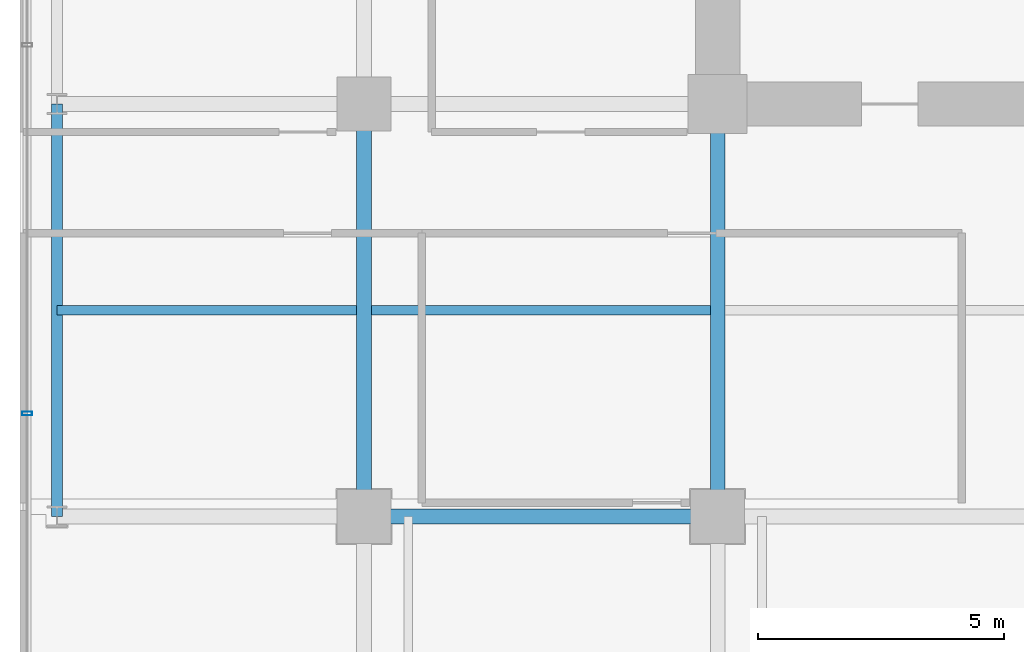
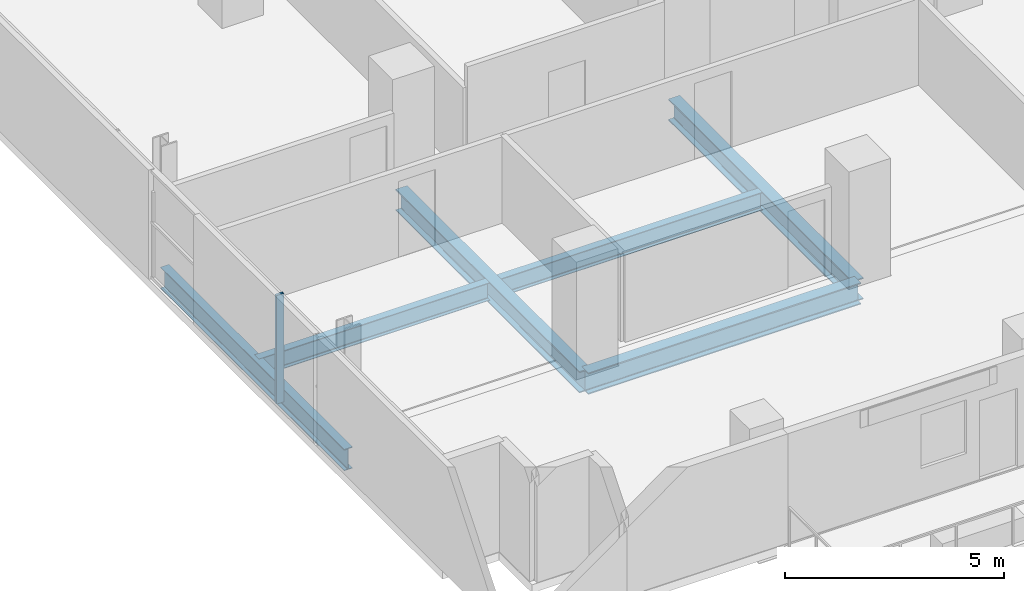
# One storey, part 4 of 27: 6 beams, 1 member, 1 element without a shape of its own.
"""IFC4 building model written with IfcOpenShell, lengths in metres."""

from ifc_helpers import new_model, si_unit, direction, frame, origin, origin_2d, place, context, subcontext, project, spatial, hollow_rectangle, i_section, extrude, source, transform, mapped, material, layer, layer_set, material_profile, profile_set, type_object, element, aggregate, save


model = new_model("IFC4")

# Units and contexts
model_context = context("Model", 3, precision=1e-05, world=origin(), true_north=direction((0.0, 1.0)))
body_context = subcontext(model_context, "Body", "Model", "MODEL_VIEW")
ifc_project = project(units=[si_unit("LENGTHUNIT", "METRE"), si_unit("AREAUNIT", "SQUARE_METRE"), si_unit("VOLUMEUNIT", "CUBIC_METRE"), si_unit("PLANEANGLEUNIT", "RADIAN"), si_unit("MASSUNIT", "GRAM", prefix="KILO")], contexts=[model_context])

# Site, building, storey
site_placement = place(None, origin())
site = spatial("IfcSite", under=ifc_project, at=site_placement, CompositionType="ELEMENT")
building_placement = place(site_placement, origin())
building = spatial("IfcBuilding", under=site, at=building_placement, Name="Zarnakvel Exchange Tower", CompositionType="ELEMENT")
storey_placement = place(building_placement, frame((0.0, 0.0, 76.89990234375)))
storey = spatial("IfcBuildingStorey", under=building, at=storey_placement, Name="L21", CompositionType="ELEMENT", Elevation=76.89990234375)

# Beams
ifc_material_1 = material(Name="Steel S355", Category="steel")
ifc_material_profile_1 = material_profile(ifc_material_1, i_section(OverallWidth=0.199951171875, OverallDepth=0.5, WebThickness=0.01025390625, FlangeThickness=0.01611328125, FilletRadius=0.02099609375, at=origin_2d()))
ifc_profile_set_1 = profile_set([ifc_material_profile_1], Name="Steel S355")
beam_type_1 = type_object("IfcBeamType", Name="B-04", PredefinedType="JOIST", material=ifc_profile_set_1)
beam_1_placement = place(storey_placement, frame((-27.85009765625, -5.39990234375, -0.474853515625), z_axis=(1.0, 0.0, 0.0), x_axis=(0.0, 1.0, 0.0)))
element("IfcBeam", 1, at=beam_1_placement, inside=storey, type_object=beam_type_1, Name="L21 Composite Floor Secondary Joist", PredefinedType="JOIST", context=body_context, shape_type="SweptSolid", body=[
    extrude(i_section(OverallWidth=0.199951171875, OverallDepth=0.5, WebThickness=0.01025390625, FlangeThickness=0.01611328125, FilletRadius=0.02099609375, at=origin_2d()), origin(), (0.0, 0.0, 1.0), 6.10009765625),
])
beam_2_placement = place(storey_placement, frame((-21.449951171875, -5.39990234375, -0.474853515625), z_axis=(1.0, 0.0, 0.0), x_axis=(0.0, 1.0, 0.0)))
element("IfcBeam", 2, at=beam_2_placement, inside=storey, type_object=beam_type_1, Name="L21 Composite Floor Secondary Joist", PredefinedType="JOIST", context=body_context, shape_type="SweptSolid", body=[
    extrude(i_section(OverallWidth=0.199951171875, OverallDepth=0.5, WebThickness=0.01025390625, FlangeThickness=0.01611328125, FilletRadius=0.02099609375, at=origin_2d()), origin(), (0.0, 0.0, 1.0), 6.89990234375),
])
ifc_material_profile_2 = material_profile(ifc_material_1, i_section(OverallWidth=0.300048828125, OverallDepth=0.60009765625, WebThickness=0.015380859375, FlangeThickness=0.030029296875, FilletRadius=0.027099609375, at=origin_2d()))
ifc_profile_set_2 = profile_set([ifc_material_profile_2], Name="Steel S355")
beam_type_2 = type_object("IfcBeamType", Name="G-04", PredefinedType="BEAM", material=ifc_profile_set_2)
beam_3_placement = place(storey_placement, frame((-21.60009765625, -9.60009765625, -0.52490234375), z_axis=(1.0, 0.0, 0.0), x_axis=(0.0, 1.0, 0.0)))
element("IfcBeam", 3, at=beam_3_placement, inside=storey, type_object=beam_type_2, Name="L21 Tower E-W Frame Beam", PredefinedType="BEAM", context=body_context, shape_type="SweptSolid", body=[
    extrude(i_section(OverallWidth=0.300048828125, OverallDepth=0.60009765625, WebThickness=0.015380859375, FlangeThickness=0.030029296875, FilletRadius=0.027099609375, at=origin_2d()), origin(), (0.0, 0.0, 1.0), 7.2001953125),
])
for number, where, z_axis, x_axis, name in (
    (4, (-21.60009765625, -9.60009765625, -0.52490234375), (0.0, 1.0, 0.0), (-1.0, 0.0, 0.0), "L21 Tower N-S Frame Beam"),
    (5, (-14.39990234375, -9.60009765625, -0.52490234375), (0.0, 1.0, 0.0), (-1.0, 0.0, 0.0), "L21 Tower N-S Frame Beam"),
):
    element("IfcBeam", number, at=place(storey_placement, frame(where, z_axis=z_axis, x_axis=x_axis)), inside=storey, type_object=beam_type_2, Name=name, PredefinedType="BEAM", context=body_context, shape_type="SweptSolid", body=[
        extrude(i_section(OverallWidth=0.300048828125, OverallDepth=0.60009765625, WebThickness=0.015380859375, FlangeThickness=0.030029296875, FilletRadius=0.027099609375, at=origin_2d()), origin(), (0.0, 0.0, 1.0), 8.400146484375),
    ])
ifc_material_profile_3 = material_profile(ifc_material_1, i_section(OverallWidth=0.219970703125, OverallDepth=0.60009765625, WebThickness=0.011962890625, FlangeThickness=0.01904296875, FilletRadius=0.02392578125, at=origin_2d()))
ifc_profile_set_3 = profile_set([ifc_material_profile_3], Name="Steel S355")
beam_type_3 = type_object("IfcBeamType", Name="SP-01", PredefinedType="SPANDREL", material=ifc_profile_set_3)
beam_4_placement = place(storey_placement, frame((-27.85009765625, -9.60009765625, -0.52490234375), z_axis=(0.0, 1.0, 0.0), x_axis=(-1.0, 0.0, 0.0)))
element("IfcBeam", 6, at=beam_4_placement, inside=storey, type_object=beam_type_3, Name="L21 Tower N-S Frame Beam", PredefinedType="SPANDREL", context=body_context, shape_type="SweptSolid", body=[
    extrude(i_section(OverallWidth=0.219970703125, OverallDepth=0.60009765625, WebThickness=0.011962890625, FlangeThickness=0.01904296875, FilletRadius=0.02392578125, at=origin_2d()), origin(), (0.0, 0.0, 1.0), 8.400146484375),
])

# Curtain wall, member
ifc_material_2 = material(Name="Architectural Bronze Anodised Aluminium", Category="aluminium")
ifc_layer = layer(ifc_material_2, 0.199951171875)
ifc_layer_set = layer_set([ifc_layer], Name="Architectural Bronze Anodised Aluminium")
curtain_wall_type = type_object("IfcCurtainWallType", Name="CW-04", PredefinedType="NOTDEFINED", material=ifc_layer_set)
curtain_wall_placement = place(storey_placement, origin())
curtain_wall = element("IfcCurtainWall", 7, at=curtain_wall_placement, inside=storey, type_object=curtain_wall_type, Name="L21 Curtain Wall CW-L21-W1 (CW-04)", PredefinedType="NOTDEFINED")
ifc_material_profile_4 = material_profile(ifc_material_2, hollow_rectangle(XDim=0.199951171875, YDim=0.074951171875, WallThickness=0.0048828125, at=origin_2d()))
ifc_profile_set_4 = profile_set([ifc_material_profile_4], Name="Architectural Bronze Anodised Aluminium")
member_type = type_object("IfcMemberType", Name="CWM-04", PredefinedType="MULLION", material=ifc_profile_set_4)
shared_shape = source(origin(), body_context, "Body", "SweptSolid", [
    extrude(hollow_rectangle(XDim=0.199951171875, YDim=0.074951171875, WallThickness=0.0048828125, at=origin_2d()), origin(), (0.0, 0.0, 1.0), 3.030029296875),
])
member_placement = place(storey_placement, frame((-28.4599609375, -7.5, 0.0), z_axis=(0.0, 0.0, 1.0), x_axis=(-1.0, 0.0, 0.0)))
member = element("IfcMember", 8, at=member_placement, type_object=member_type, Name="CW-04 mullion 2", PredefinedType="MULLION", context=body_context, shape_type="MappedRepresentation", body=[
    mapped(shared_shape, transform((0.0, 0.0, 0.0), x_axis=(1.0, 0.0, 0.0), y_axis=(0.0, 1.0, 0.0), z_axis=(0.0, 0.0, 1.0), scale=1.0)),
])
aggregate(curtain_wall, [member])

save(model, "model.ifc")
